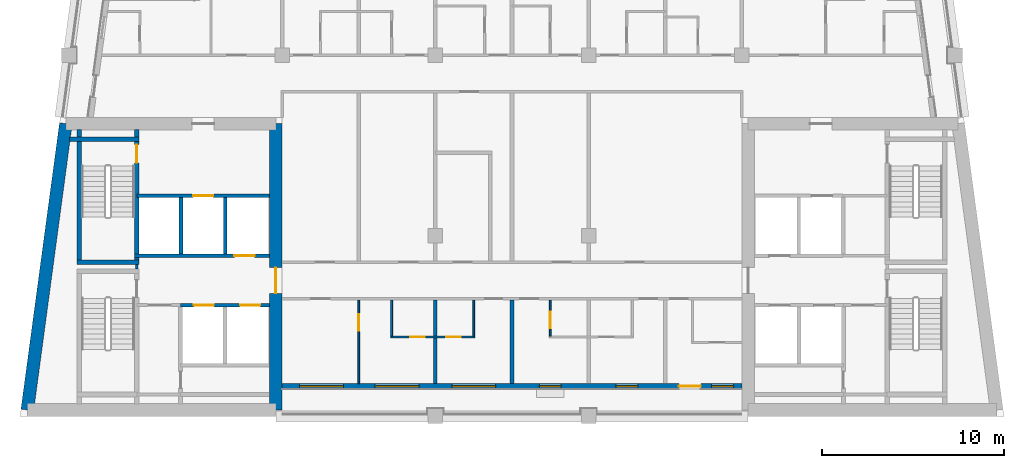
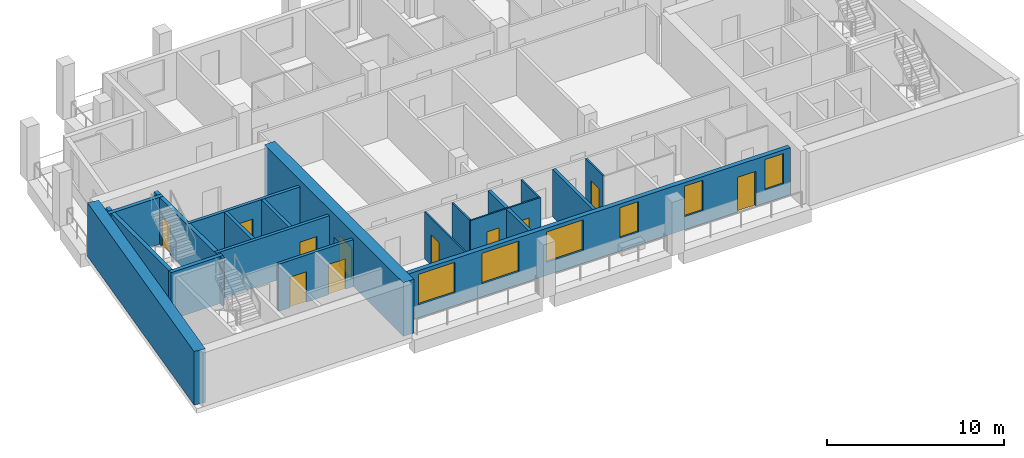
# One storey, part 2 of 10: 20 walls, 11 doors, 6 windows, 17 openings.
"""IFC4 building model written with IfcOpenShell, lengths in metres."""

from ifc_helpers import new_model, si_unit, direction, frame, frame_2d, origin, place, context, subcontext, project, spatial, rectangle, extrude, material, layer, layer_set, type_object, element, fill, save


model = new_model("IFC4")

# Units and contexts
model_context = context("Model", 3, precision=1e-05, world=origin(), true_north=direction((0.0, 1.0)))
body_context = subcontext(model_context, "Body", "Model", "MODEL_VIEW")
ifc_project = project(units=[si_unit("LENGTHUNIT", "METRE"), si_unit("AREAUNIT", "SQUARE_METRE"), si_unit("VOLUMEUNIT", "CUBIC_METRE"), si_unit("PLANEANGLEUNIT", "RADIAN"), si_unit("MASSUNIT", "GRAM", prefix="KILO")], contexts=[model_context])

# Site, building, storey
site_placement = place(None, origin())
site = spatial("IfcSite", under=ifc_project, at=site_placement, CompositionType="ELEMENT")
building_placement = place(site_placement, origin())
building = spatial("IfcBuilding", under=site, at=building_placement, Name="Candeia Pilgrim Tower and Theatre", CompositionType="ELEMENT")
storey_placement = place(building_placement, frame((0.0, 0.0, 299.699951171875)))
storey = spatial("IfcBuildingStorey", under=building, at=storey_placement, Name="L73", CompositionType="ELEMENT", Elevation=299.699951171875)

# Wall, opening, door
ifc_material_1 = material(Name="Concrete C40/50", Category="concrete")
ifc_layer_1 = layer(ifc_material_1, 0.699951171875)
ifc_layer_set_1 = layer_set([ifc_layer_1], Name="Core wall 700 C40/50")
wall_type_1 = type_object("IfcWallType", Name="Core wall 700 C40/50", PredefinedType="SHEAR", material=ifc_layer_set_1)
wall_1_placement = place(storey_placement, frame((100.449951171875, 132.050048828125, 0.0), z_axis=(0.0, 0.0, 1.0), x_axis=(0.0, -1.0, 0.0)))
wall_1 = element("IfcWall", 1, at=wall_1_placement, inside=storey, type_object=wall_type_1, Name="Core wall W2", PredefinedType="SHEAR", context=body_context, shape_type="SweptSolid", body=[
    extrude(rectangle(XDim=15.699951171875, YDim=0.699951171875, at=frame_2d((7.85009765625, 0.0))), origin(), (0.0, 0.0, 1.0), 3.699951171875),
])
opening_1_placement = place(wall_1_placement, frame((7.89990234375, 0.0, 0.0)))
opening_1 = element("IfcOpeningElement", 2, at=opening_1_placement, cuts=wall_1, Name="Opening L73-D045", PredefinedType="OPENING", context=body_context, shape_type="SweptSolid", body=[
    extrude(rectangle(XDim=1.39990234375, YDim=2.10009765625, at=frame_2d((0.699951171875, 1.050048828125))), frame((0.0, 0.35986328125, 0.0), z_axis=(0.0, -1.0, 0.0), x_axis=(1.0, 0.0, 0.0)), (0.0, 0.0, 1.0), 0.719970703125),
])
ifc_material_2 = material(Name="Steel fire door set", Category="steel")
door_type_1 = type_object("IfcDoorType", Name="D-1400-FD60", OperationType="NOTDEFINED", PredefinedType="DOOR", material=ifc_material_2)
door_1_placement = place(opening_1_placement, origin())
door_1 = element("IfcDoor", 3, at=door_1_placement, inside=storey, type_object=door_type_1, Name="Door L73-D045", OperationType="SINGLE_SWING_RIGHT", OverallHeight=2.10009765625, OverallWidth=1.39990234375, PredefinedType="DOOR", context=body_context, shape_type="SweptSolid", body=[
    extrude(rectangle(XDim=1.39990234375, YDim=2.10009765625, at=frame_2d((0.699951171875, 1.050048828125))), frame((0.0, 0.02490234375, 0.0), z_axis=(0.0, -1.0, 0.0), x_axis=(1.0, 0.0, 0.0)), (0.0, 0.0, 1.0), 0.050048828125),
])
fill(opening_1, door_1)

# Wall
wall_2_placement = place(storey_placement, frame((86.8232421875, 116.35009765625, 0.0), z_axis=(0.0, 0.0, 1.0), x_axis=(0.133416378607, 0.99106007382, 0.0)))
element("IfcWall", 4, at=wall_2_placement, inside=storey, type_object=wall_type_1, Name="Core wall W4", PredefinedType="SHEAR", context=body_context, shape_type="SweptSolid", body=[
    extrude(rectangle(XDim=15.841552734375, YDim=0.699951171875, at=frame_2d((7.9208984375, 0.0))), origin(), (0.0, 0.0, 1.0), 3.699951171875),
])

# Wall, openings, door, windows
ifc_material_3 = material(Name="Ceramic block masonry", Category="masonry")
ifc_layer_2 = layer(ifc_material_3, 0.300048828125)
ifc_layer_set_2 = layer_set([ifc_layer_2], Name="EW1 glazing-line wall 300")
wall_type_2 = type_object("IfcWallType", Name="EW1 glazing-line wall 300", PredefinedType="SOLIDWALL", material=ifc_layer_set_2)
wall_3_placement = place(storey_placement, frame((100.800048828125, 117.64990234375, 0.0), z_axis=(0.0, 0.0, 1.0), x_axis=(1.0, 0.0, 0.0)))
wall_3 = element("IfcWall", 5, at=wall_3_placement, inside=storey, type_object=wall_type_2, Name="External wall L73-1.0", PredefinedType="SOLIDWALL", context=body_context, shape_type="SweptSolid", body=[
    extrude(rectangle(XDim=25.199951171875, YDim=0.300048828125, at=frame_2d((12.60009765625, 0.0))), origin(), (0.0, 0.0, 1.0), 3.25),
])
opening_2_placement = place(wall_3_placement, frame((0.949951171875, 0.0, 0.89990234375)))
opening_2 = element("IfcOpeningElement", 6, at=opening_2_placement, cuts=wall_3, Name="Opening W-A", PredefinedType="OPENING", context=body_context, shape_type="SweptSolid", body=[
    extrude(rectangle(XDim=2.39990234375, YDim=2.10009765625, at=frame_2d((1.199951171875, 1.050048828125))), frame((0.0, 0.16015625, 0.0), z_axis=(0.0, -1.0, 0.0), x_axis=(1.0, 0.0, 0.0)), (0.0, 0.0, 1.0), 0.320068359375),
])
opening_3_placement = place(wall_3_placement, frame((5.10009765625, 0.0, 0.89990234375)))
opening_3 = element("IfcOpeningElement", 7, at=opening_3_placement, cuts=wall_3, Name="Opening W-A", PredefinedType="OPENING", context=body_context, shape_type="SweptSolid", body=[
    extrude(rectangle(XDim=2.39990234375, YDim=2.10009765625, at=frame_2d((1.199951171875, 1.050048828125))), frame((0.0, 0.16015625, 0.0), z_axis=(0.0, -1.0, 0.0), x_axis=(1.0, 0.0, 0.0)), (0.0, 0.0, 1.0), 0.320068359375),
])
opening_4_placement = place(wall_3_placement, frame((9.300048828125, 0.0, 0.89990234375)))
opening_4 = element("IfcOpeningElement", 8, at=opening_4_placement, cuts=wall_3, Name="Opening W-A", PredefinedType="OPENING", context=body_context, shape_type="SweptSolid", body=[
    extrude(rectangle(XDim=2.39990234375, YDim=2.10009765625, at=frame_2d((1.199951171875, 1.050048828125))), frame((0.0, 0.16015625, 0.0), z_axis=(0.0, -1.0, 0.0), x_axis=(1.0, 0.0, 0.0)), (0.0, 0.0, 1.0), 0.320068359375),
])
opening_5_placement = place(wall_3_placement, frame((14.10009765625, 0.0, 0.89990234375)))
opening_5 = element("IfcOpeningElement", 9, at=opening_5_placement, cuts=wall_3, Name="Opening W-B", PredefinedType="OPENING", context=body_context, shape_type="SweptSolid", body=[
    extrude(rectangle(XDim=1.199951171875, YDim=2.10009765625, at=frame_2d((0.60009765625, 1.050048828125))), frame((0.0, 0.16015625, 0.0), z_axis=(0.0, -1.0, 0.0), x_axis=(1.0, 0.0, 0.0)), (0.0, 0.0, 1.0), 0.320068359375),
])
opening_6_placement = place(wall_3_placement, frame((18.300048828125, 0.0, 0.89990234375)))
opening_6 = element("IfcOpeningElement", 10, at=opening_6_placement, cuts=wall_3, Name="Opening W-B", PredefinedType="OPENING", context=body_context, shape_type="SweptSolid", body=[
    extrude(rectangle(XDim=1.199951171875, YDim=2.10009765625, at=frame_2d((0.60009765625, 1.050048828125))), frame((0.0, 0.16015625, 0.0), z_axis=(0.0, -1.0, 0.0), x_axis=(1.0, 0.0, 0.0)), (0.0, 0.0, 1.0), 0.320068359375),
])
opening_7_placement = place(wall_3_placement, frame((21.75, 0.0, 0.0)))
opening_7 = element("IfcOpeningElement", 11, at=opening_7_placement, cuts=wall_3, Name="Opening L73-ED676", PredefinedType="OPENING", context=body_context, shape_type="SweptSolid", body=[
    extrude(rectangle(XDim=1.199951171875, YDim=2.39990234375, at=frame_2d((0.60009765625, 1.199951171875))), frame((0.0, 0.16015625, 0.0), z_axis=(0.0, -1.0, 0.0), x_axis=(1.0, 0.0, 0.0)), (0.0, 0.0, 1.0), 0.320068359375),
])
opening_8_placement = place(wall_3_placement, frame((23.550048828125, 0.0, 0.89990234375)))
opening_8 = element("IfcOpeningElement", 12, at=opening_8_placement, cuts=wall_3, Name="Opening W-B", PredefinedType="OPENING", context=body_context, shape_type="SweptSolid", body=[
    extrude(rectangle(XDim=1.199951171875, YDim=2.10009765625, at=frame_2d((0.60009765625, 1.050048828125))), frame((0.0, 0.16015625, 0.0), z_axis=(0.0, -1.0, 0.0), x_axis=(1.0, 0.0, 0.0)), (0.0, 0.0, 1.0), 0.320068359375),
])
ifc_material_4 = material(Name="Aluminium framed glazed door", Category="aluminium")
door_type_2 = type_object("IfcDoorType", Name="Loggia door 1200x2400", OperationType="DOUBLE_DOOR_SINGLE_SWING", PredefinedType="DOOR", material=ifc_material_4)
door_2_placement = place(opening_7_placement, origin())
door_2 = element("IfcDoor", 13, at=door_2_placement, inside=storey, type_object=door_type_2, Name="Loggia door L73-ED676", OperationType="DOUBLE_DOOR_SINGLE_SWING", OverallHeight=2.39990234375, OverallWidth=1.199951171875, PredefinedType="DOOR", context=body_context, shape_type="SweptSolid", body=[
    extrude(rectangle(XDim=1.199951171875, YDim=2.39990234375, at=frame_2d((0.60009765625, 1.199951171875))), frame((0.0, 0.02490234375, 0.0), z_axis=(0.0, -1.0, 0.0), x_axis=(1.0, 0.0, 0.0)), (0.0, 0.0, 1.0), 0.050048828125),
])
fill(opening_7, door_2)
ifc_material_5 = material(Name="Aluminium framed double glazing", Category="aluminium")
window_type_1 = type_object("IfcWindowType", Name="W-A window 2400x2100", PartitioningType="DOUBLE_PANEL_VERTICAL", PredefinedType="WINDOW", material=ifc_material_5)
window_1_placement = place(opening_2_placement, origin())
window_1 = element("IfcWindow", 14, at=window_1_placement, inside=storey, type_object=window_type_1, Name="Window W-A L73", OverallHeight=2.10009765625, OverallWidth=2.39990234375, PartitioningType="SINGLE_PANEL", PredefinedType="WINDOW", context=body_context, shape_type="SweptSolid", body=[
    extrude(rectangle(XDim=2.39990234375, YDim=2.10009765625, at=frame_2d((1.199951171875, 1.050048828125))), frame((0.0, 0.030029296875, 0.0), z_axis=(0.0, -1.0, 0.0), x_axis=(1.0, 0.0, 0.0)), (0.0, 0.0, 1.0), 0.06005859375),
])
fill(opening_2, window_1)
window_2_placement = place(opening_3_placement, origin())
window_2 = element("IfcWindow", 15, at=window_2_placement, inside=storey, type_object=window_type_1, Name="Window W-A L73", OverallHeight=2.10009765625, OverallWidth=2.39990234375, PartitioningType="SINGLE_PANEL", PredefinedType="WINDOW", context=body_context, shape_type="SweptSolid", body=[
    extrude(rectangle(XDim=2.39990234375, YDim=2.10009765625, at=frame_2d((1.199951171875, 1.050048828125))), frame((0.0, 0.030029296875, 0.0), z_axis=(0.0, -1.0, 0.0), x_axis=(1.0, 0.0, 0.0)), (0.0, 0.0, 1.0), 0.06005859375),
])
fill(opening_3, window_2)
window_3_placement = place(opening_4_placement, origin())
window_3 = element("IfcWindow", 16, at=window_3_placement, inside=storey, type_object=window_type_1, Name="Window W-A L73", OverallHeight=2.10009765625, OverallWidth=2.39990234375, PartitioningType="SINGLE_PANEL", PredefinedType="WINDOW", context=body_context, shape_type="SweptSolid", body=[
    extrude(rectangle(XDim=2.39990234375, YDim=2.10009765625, at=frame_2d((1.199951171875, 1.050048828125))), frame((0.0, 0.030029296875, 0.0), z_axis=(0.0, -1.0, 0.0), x_axis=(1.0, 0.0, 0.0)), (0.0, 0.0, 1.0), 0.06005859375),
])
fill(opening_4, window_3)
window_type_2 = type_object("IfcWindowType", Name="W-B window 1200x2100", PartitioningType="SINGLE_PANEL", PredefinedType="WINDOW", material=ifc_material_5)
window_4_placement = place(opening_5_placement, origin())
window_4 = element("IfcWindow", 17, at=window_4_placement, inside=storey, type_object=window_type_2, Name="Window W-B L73", OverallHeight=2.10009765625, OverallWidth=1.199951171875, PartitioningType="SINGLE_PANEL", PredefinedType="WINDOW", context=body_context, shape_type="SweptSolid", body=[
    extrude(rectangle(XDim=1.199951171875, YDim=2.10009765625, at=frame_2d((0.60009765625, 1.050048828125))), frame((0.0, 0.030029296875, 0.0), z_axis=(0.0, -1.0, 0.0), x_axis=(1.0, 0.0, 0.0)), (0.0, 0.0, 1.0), 0.06005859375),
])
fill(opening_5, window_4)
window_5_placement = place(opening_6_placement, origin())
window_5 = element("IfcWindow", 18, at=window_5_placement, inside=storey, type_object=window_type_2, Name="Window W-B L73", OverallHeight=2.10009765625, OverallWidth=1.199951171875, PartitioningType="SINGLE_PANEL", PredefinedType="WINDOW", context=body_context, shape_type="SweptSolid", body=[
    extrude(rectangle(XDim=1.199951171875, YDim=2.10009765625, at=frame_2d((0.60009765625, 1.050048828125))), frame((0.0, 0.030029296875, 0.0), z_axis=(0.0, -1.0, 0.0), x_axis=(1.0, 0.0, 0.0)), (0.0, 0.0, 1.0), 0.06005859375),
])
fill(opening_6, window_5)
window_6_placement = place(opening_8_placement, origin())
window_6 = element("IfcWindow", 19, at=window_6_placement, inside=storey, type_object=window_type_2, Name="Window W-B L73", OverallHeight=2.10009765625, OverallWidth=1.199951171875, PartitioningType="SINGLE_PANEL", PredefinedType="WINDOW", context=body_context, shape_type="SweptSolid", body=[
    extrude(rectangle(XDim=1.199951171875, YDim=2.10009765625, at=frame_2d((0.60009765625, 1.050048828125))), frame((0.0, 0.030029296875, 0.0), z_axis=(0.0, -1.0, 0.0), x_axis=(1.0, 0.0, 0.0)), (0.0, 0.0, 1.0), 0.06005859375),
])
fill(opening_8, window_6)

# Wall, openings, doors
ifc_material_6 = material(Name="Gypsum board partition on steel studs", Category="steel")
ifc_layer_3 = layer(ifc_material_6, 0.10009765625)
ifc_layer_set_3 = layer_set([ifc_layer_3], Name="PW-100 room partition")
wall_type_3 = type_object("IfcWallType", Name="PW-100 room partition", PredefinedType="PARTITIONING", material=ifc_layer_set_3)
wall_4_placement = place(storey_placement, frame((106.75, 120.35009765625, 0.0), z_axis=(0.0, 0.0, 1.0), x_axis=(1.0, 0.0, 0.0)))
wall_4 = element("IfcWall", 20, at=wall_4_placement, inside=storey, type_object=wall_type_3, Name="Room partition L73-010", PredefinedType="PARTITIONING", context=body_context, shape_type="SweptSolid", body=[
    extrude(rectangle(XDim=4.60009765625, YDim=0.10009765625, at=frame_2d((2.300048828125, 0.0))), origin(), (0.0, 0.0, 1.0), 3.25),
])
opening_9_placement = place(wall_4_placement, frame((1.074951171875, 0.0, 0.0)))
opening_9 = element("IfcOpeningElement", 21, at=opening_9_placement, cuts=wall_4, Name="Opening L73-D011", PredefinedType="OPENING", context=body_context, shape_type="SweptSolid", body=[
    extrude(rectangle(XDim=0.800048828125, YDim=2.10009765625, at=frame_2d((0.39990234375, 1.050048828125))), frame((0.0, 0.06005859375, 0.0), z_axis=(0.0, -1.0, 0.0), x_axis=(1.0, 0.0, 0.0)), (0.0, 0.0, 1.0), 0.1201171875),
])
opening_10_placement = place(wall_4_placement, frame((3.0400390625, 0.0, 0.0)))
opening_10 = element("IfcOpeningElement", 22, at=opening_10_placement, cuts=wall_4, Name="Opening L73-D013", PredefinedType="OPENING", context=body_context, shape_type="SweptSolid", body=[
    extrude(rectangle(XDim=0.800048828125, YDim=2.10009765625, at=frame_2d((0.39990234375, 1.050048828125))), frame((0.0, 0.06005859375, 0.0), z_axis=(0.0, -1.0, 0.0), x_axis=(1.0, 0.0, 0.0)), (0.0, 0.0, 1.0), 0.1201171875),
])
ifc_material_7 = material(Name="Timber door leaf", Category="wood")
door_type_3 = type_object("IfcDoorType", Name="D-800", OperationType="NOTDEFINED", PredefinedType="DOOR", material=ifc_material_7)
door_3_placement = place(opening_9_placement, origin())
door_3 = element("IfcDoor", 23, at=door_3_placement, inside=storey, type_object=door_type_3, Name="Door L73-D011", OperationType="SINGLE_SWING_RIGHT", OverallHeight=2.10009765625, OverallWidth=0.800048828125, PredefinedType="DOOR", context=body_context, shape_type="SweptSolid", body=[
    extrude(rectangle(XDim=0.800048828125, YDim=2.10009765625, at=frame_2d((0.39990234375, 1.050048828125))), frame((0.0, 0.02490234375, 0.0), z_axis=(0.0, -1.0, 0.0), x_axis=(1.0, 0.0, 0.0)), (0.0, 0.0, 1.0), 0.050048828125),
])
fill(opening_9, door_3)
door_4_placement = place(opening_10_placement, origin())
door_4 = element("IfcDoor", 24, at=door_4_placement, inside=storey, type_object=door_type_3, Name="Door L73-D013", OperationType="SINGLE_SWING_RIGHT", OverallHeight=2.10009765625, OverallWidth=0.800048828125, PredefinedType="DOOR", context=body_context, shape_type="SweptSolid", body=[
    extrude(rectangle(XDim=0.800048828125, YDim=2.10009765625, at=frame_2d((0.39990234375, 1.050048828125))), frame((0.0, 0.02490234375, 0.0), z_axis=(0.0, -1.0, 0.0), x_axis=(1.0, 0.0, 0.0)), (0.0, 0.0, 1.0), 0.050048828125),
])
fill(opening_10, door_4)

# Wall, opening, door
wall_5_placement = place(storey_placement, frame((105.0, 117.7900390625, 0.0), z_axis=(0.0, 0.0, 1.0), x_axis=(0.0, 1.0, 0.0)))
wall_5 = element("IfcWall", 25, at=wall_5_placement, inside=storey, type_object=wall_type_3, Name="Room partition L73-054", PredefinedType="PARTITIONING", context=body_context, shape_type="SweptSolid", body=[
    extrude(rectangle(XDim=4.5849609375, YDim=0.10009765625, at=frame_2d((2.29248046875, 0.0))), origin(), (0.0, 0.0, 1.0), 3.25),
])
opening_11_placement = place(wall_5_placement, frame((2.907958984375, 0.0, 0.0)))
opening_11 = element("IfcOpeningElement", 26, at=opening_11_placement, cuts=wall_5, Name="Opening L73-D010", PredefinedType="OPENING", context=body_context, shape_type="SweptSolid", body=[
    extrude(rectangle(XDim=0.89990234375, YDim=2.10009765625, at=frame_2d((0.449951171875, 1.050048828125))), frame((0.0, 0.06005859375, 0.0), z_axis=(0.0, -1.0, 0.0), x_axis=(1.0, 0.0, 0.0)), (0.0, 0.0, 1.0), 0.1201171875),
])
door_type_4 = type_object("IfcDoorType", Name="D-900", OperationType="NOTDEFINED", PredefinedType="DOOR", material=ifc_material_7)
door_5_placement = place(opening_11_placement, origin())
door_5 = element("IfcDoor", 27, at=door_5_placement, inside=storey, type_object=door_type_4, Name="Door L73-D010", OperationType="SINGLE_SWING_LEFT", OverallHeight=2.10009765625, OverallWidth=0.89990234375, PredefinedType="DOOR", context=body_context, shape_type="SweptSolid", body=[
    extrude(rectangle(XDim=0.89990234375, YDim=2.10009765625, at=frame_2d((0.449951171875, 1.050048828125))), frame((0.0, 0.02490234375, 0.0), z_axis=(0.0, -1.0, 0.0), x_axis=(1.0, 0.0, 0.0)), (0.0, 0.0, 1.0), 0.050048828125),
])
fill(opening_11, door_5)

# Walls
for number, where, z_axis, x_axis, name in (
    (28, (106.800048828125, 120.39990234375, 0.0), (0.0, 0.0, 1.0), (0.0, 1.0, 0.0), "Room partition L73-057"),
    (29, (111.300048828125, 120.39990234375, 0.0), (0.0, 0.0, 1.0), (0.0, 1.0, 0.0), "Room partition L73-062"),
):
    element("IfcWall", number, at=place(storey_placement, frame(where, z_axis=z_axis, x_axis=x_axis)), inside=storey, type_object=wall_type_3, Name=name, PredefinedType="PARTITIONING", context=body_context, shape_type="SweptSolid", body=[
        extrude(rectangle(XDim=1.97509765625, YDim=0.10009765625, at=frame_2d((0.987548828125, 0.0))), origin(), (0.0, 0.0, 1.0), 3.25),
    ])

# Wall, opening, door
wall_6_placement = place(storey_placement, frame((115.5, 120.39990234375, 0.0), z_axis=(0.0, 0.0, 1.0), x_axis=(0.0, 1.0, 0.0)))
wall_6 = element("IfcWall", 30, at=wall_6_placement, inside=storey, type_object=wall_type_3, Name="Room partition L73-068", PredefinedType="PARTITIONING", context=body_context, shape_type="SweptSolid", body=[
    extrude(rectangle(XDim=1.97509765625, YDim=0.10009765625, at=frame_2d((0.987548828125, 0.0))), origin(), (0.0, 0.0, 1.0), 3.25),
])
opening_12_placement = place(wall_6_placement, frame((0.425048828125, 0.0, 0.0)))
opening_12 = element("IfcOpeningElement", 31, at=opening_12_placement, cuts=wall_6, Name="Opening L73-D015", PredefinedType="OPENING", context=body_context, shape_type="SweptSolid", body=[
    extrude(rectangle(XDim=0.89990234375, YDim=2.10009765625, at=frame_2d((0.449951171875, 1.050048828125))), frame((0.0, 0.06005859375, 0.0), z_axis=(0.0, -1.0, 0.0), x_axis=(1.0, 0.0, 0.0)), (0.0, 0.0, 1.0), 0.1201171875),
])
door_6_placement = place(opening_12_placement, origin())
door_6 = element("IfcDoor", 32, at=door_6_placement, inside=storey, type_object=door_type_4, Name="Door L73-D015", OperationType="SINGLE_SWING_RIGHT", OverallHeight=2.10009765625, OverallWidth=0.89990234375, PredefinedType="DOOR", context=body_context, shape_type="SweptSolid", body=[
    extrude(rectangle(XDim=0.89990234375, YDim=2.10009765625, at=frame_2d((0.449951171875, 1.050048828125))), frame((0.0, 0.02490234375, 0.0), z_axis=(0.0, -1.0, 0.0), x_axis=(1.0, 0.0, 0.0)), (0.0, 0.0, 1.0), 0.050048828125),
])
fill(opening_12, door_6)

# Walls
ifc_layer_4 = layer(ifc_material_6, 0.14990234375)
ifc_layer_set_4 = layer_set([ifc_layer_4], Name="PW-150 lobby wall")
wall_type_4 = type_object("IfcWallType", Name="PW-150 lobby wall", PredefinedType="PARTITIONING", material=ifc_layer_set_4)
wall_7_placement = place(storey_placement, frame((92.826904296875, 124.074951171875, 0.0), z_axis=(0.0, 0.0, 1.0), x_axis=(0.0, 1.0, 0.0)))
element("IfcWall", 33, at=wall_7_placement, inside=storey, type_object=wall_type_4, Name="Lobby wall L73-042", PredefinedType="PARTITIONING", context=body_context, shape_type="SweptSolid", body=[
    extrude(rectangle(XDim=0.25, YDim=0.14990234375, at=frame_2d((0.125, 0.0))), origin(), (0.0, 0.0, 1.0), 3.25),
])
ifc_layer_5 = layer(ifc_material_6, 0.199951171875)
ifc_layer_set_5 = layer_set([ifc_layer_5], Name="PW-200 party wall")
wall_type_5 = type_object("IfcWallType", Name="PW-200 party wall", PredefinedType="PARTITIONING", material=ifc_layer_set_5)
for number, where, z_axis, x_axis, name in (
    (34, (109.199951171875, 117.7900390625, 0.0), (0.0, 0.0, 1.0), (0.0, 1.0, 0.0), "Party wall L73-059"),
    (35, (113.39990234375, 117.7900390625, 0.0), (0.0, 0.0, 1.0), (0.0, 1.0, 0.0), "Party wall L73-065"),
):
    element("IfcWall", number, at=place(storey_placement, frame(where, z_axis=z_axis, x_axis=x_axis)), inside=storey, type_object=wall_type_5, Name=name, PredefinedType="PARTITIONING", context=body_context, shape_type="SweptSolid", body=[
        extrude(rectangle(XDim=4.5849609375, YDim=0.199951171875, at=frame_2d((2.29248046875, 0.0))), origin(), (0.0, 0.0, 1.0), 3.25),
    ])

# Wall, openings, doors
ifc_layer_6 = layer(ifc_material_1, 0.199951171875)
ifc_layer_set_6 = layer_set([ifc_layer_6], Name="SW-200 shaft wall")
wall_type_6 = type_object("IfcWallType", Name="SW-200 shaft wall", PredefinedType="PARTITIONING", material=ifc_layer_set_6)
wall_8_placement = place(storey_placement, frame((95.22705078125, 122.10009765625, 0.0), z_axis=(0.0, 0.0, 1.0), x_axis=(1.0, 0.0, 0.0)))
wall_8 = element("IfcWall", 36, at=wall_8_placement, inside=storey, type_object=wall_type_6, Name="Shaft wall L73-012", PredefinedType="PARTITIONING", context=body_context, shape_type="SweptSolid", body=[
    extrude(rectangle(XDim=4.873046875, YDim=0.199951171875, at=frame_2d((2.4365234375, 0.0))), origin(), (0.0, 0.0, 1.0), 3.25),
])
opening_13_placement = place(wall_8_placement, frame((0.73193359375, 0.0, 0.0)))
opening_13 = element("IfcOpeningElement", 37, at=opening_13_placement, cuts=wall_8, Name="Opening L73-LD01", PredefinedType="OPENING", context=body_context, shape_type="SweptSolid", body=[
    extrude(rectangle(XDim=1.10009765625, YDim=2.10009765625, at=frame_2d((0.550048828125, 1.050048828125))), frame((0.0, 0.10986328125, 0.0), z_axis=(0.0, -1.0, 0.0), x_axis=(1.0, 0.0, 0.0)), (0.0, 0.0, 1.0), 0.219970703125),
])
opening_14_placement = place(wall_8_placement, frame((3.263916015625, 0.0, 0.0)))
opening_14 = element("IfcOpeningElement", 38, at=opening_14_placement, cuts=wall_8, Name="Opening L73-LD02", PredefinedType="OPENING", context=body_context, shape_type="SweptSolid", body=[
    extrude(rectangle(XDim=1.10009765625, YDim=2.10009765625, at=frame_2d((0.550048828125, 1.050048828125))), frame((0.0, 0.10986328125, 0.0), z_axis=(0.0, -1.0, 0.0), x_axis=(1.0, 0.0, 0.0)), (0.0, 0.0, 1.0), 0.219970703125),
])
ifc_material_8 = material(Name="Glazed aluminium landing door", Category="aluminium")
door_type_5 = type_object("IfcDoorType", Name="LD-1100-EI120", OperationType="SLIDING_TO_LEFT", PredefinedType="DOOR", material=ifc_material_8)
door_7_placement = place(opening_13_placement, origin())
door_7 = element("IfcDoor", 39, at=door_7_placement, inside=storey, type_object=door_type_5, Name="Landing door 01 L73", OperationType="SLIDING_TO_LEFT", OverallHeight=2.10009765625, OverallWidth=1.10009765625, PredefinedType="DOOR", context=body_context, shape_type="SweptSolid", body=[
    extrude(rectangle(XDim=1.10009765625, YDim=2.10009765625, at=frame_2d((0.550048828125, 1.050048828125))), frame((0.0, 0.02490234375, 0.0), z_axis=(0.0, -1.0, 0.0), x_axis=(1.0, 0.0, 0.0)), (0.0, 0.0, 1.0), 0.050048828125),
])
fill(opening_13, door_7)
door_8_placement = place(opening_14_placement, origin())
door_8 = element("IfcDoor", 40, at=door_8_placement, inside=storey, type_object=door_type_5, Name="Landing door 02 L73", OperationType="SLIDING_TO_LEFT", OverallHeight=2.10009765625, OverallWidth=1.10009765625, PredefinedType="DOOR", context=body_context, shape_type="SweptSolid", body=[
    extrude(rectangle(XDim=1.10009765625, YDim=2.10009765625, at=frame_2d((0.550048828125, 1.050048828125))), frame((0.0, 0.02490234375, 0.0), z_axis=(0.0, -1.0, 0.0), x_axis=(1.0, 0.0, 0.0)), (0.0, 0.0, 1.0), 0.050048828125),
])
fill(opening_14, door_8)

# Wall, opening, door
wall_9_placement = place(storey_placement, frame((92.701904296875, 124.800048828125, 0.0), z_axis=(0.0, 0.0, 1.0), x_axis=(1.0, 0.0, 0.0)))
wall_9 = element("IfcWall", 41, at=wall_9_placement, inside=storey, type_object=wall_type_6, Name="Shaft wall L73-022", PredefinedType="PARTITIONING", context=body_context, shape_type="SweptSolid", body=[
    extrude(rectangle(XDim=7.398193359375, YDim=0.199951171875, at=frame_2d((3.69921875, 0.0))), origin(), (0.0, 0.0, 1.0), 3.25),
])
opening_15_placement = place(wall_9_placement, frame((5.47998046875, 0.0, 0.0)))
opening_15 = element("IfcOpeningElement", 42, at=opening_15_placement, cuts=wall_9, Name="Opening L73-LD04", PredefinedType="OPENING", context=body_context, shape_type="SweptSolid", body=[
    extrude(rectangle(XDim=1.10009765625, YDim=2.10009765625, at=frame_2d((0.550048828125, 1.050048828125))), frame((0.0, 0.10986328125, 0.0), z_axis=(0.0, -1.0, 0.0), x_axis=(1.0, 0.0, 0.0)), (0.0, 0.0, 1.0), 0.219970703125),
])
door_9_placement = place(opening_15_placement, origin())
door_9 = element("IfcDoor", 43, at=door_9_placement, inside=storey, type_object=door_type_5, Name="Landing door 04 L73", OperationType="SLIDING_TO_LEFT", OverallHeight=2.10009765625, OverallWidth=1.10009765625, PredefinedType="DOOR", context=body_context, shape_type="SweptSolid", body=[
    extrude(rectangle(XDim=1.10009765625, YDim=2.10009765625, at=frame_2d((0.550048828125, 1.050048828125))), frame((0.0, 0.02490234375, 0.0), z_axis=(0.0, -1.0, 0.0), x_axis=(1.0, 0.0, 0.0)), (0.0, 0.0, 1.0), 0.050048828125),
])
fill(opening_15, door_9)

wall_10_placement = place(storey_placement, frame((92.826904296875, 128.10009765625, 0.0), z_axis=(0.0, 0.0, 1.0), x_axis=(1.0, 0.0, 0.0)))
wall_10 = element("IfcWall", 44, at=wall_10_placement, inside=storey, type_object=wall_type_6, Name="Shaft wall L73-025", PredefinedType="PARTITIONING", context=body_context, shape_type="SweptSolid", body=[
    extrude(rectangle(XDim=7.273193359375, YDim=0.199951171875, at=frame_2d((3.63671875, 0.0))), origin(), (0.0, 0.0, 1.0), 3.25),
])
opening_16_placement = place(wall_10_placement, frame((3.0859375, 0.0, 0.0)))
opening_16 = element("IfcOpeningElement", 45, at=opening_16_placement, cuts=wall_10, Name="Opening L73-LD03", PredefinedType="OPENING", context=body_context, shape_type="SweptSolid", body=[
    extrude(rectangle(XDim=1.10009765625, YDim=2.10009765625, at=frame_2d((0.550048828125, 1.050048828125))), frame((0.0, 0.10986328125, 0.0), z_axis=(0.0, -1.0, 0.0), x_axis=(1.0, 0.0, 0.0)), (0.0, 0.0, 1.0), 0.219970703125),
])
door_10_placement = place(opening_16_placement, origin())
door_10 = element("IfcDoor", 46, at=door_10_placement, inside=storey, type_object=door_type_5, Name="Landing door 03 L73", OperationType="SLIDING_TO_LEFT", OverallHeight=2.10009765625, OverallWidth=1.10009765625, PredefinedType="DOOR", context=body_context, shape_type="SweptSolid", body=[
    extrude(rectangle(XDim=1.10009765625, YDim=2.10009765625, at=frame_2d((0.550048828125, 1.050048828125))), frame((0.0, 0.02490234375, 0.0), z_axis=(0.0, -1.0, 0.0), x_axis=(1.0, 0.0, 0.0)), (0.0, 0.0, 1.0), 0.050048828125),
])
fill(opening_16, door_10)

# Walls
for number, where, z_axis, x_axis, name in (
    (47, (95.251220703125, 124.89990234375, 0.0), (0.0, 0.0, 1.0), (0.0, 1.0, 0.0), "Shaft wall L73-047"),
    (48, (97.67578125, 124.89990234375, 0.0), (0.0, 0.0, 1.0), (0.0, 1.0, 0.0), "Shaft wall L73-050"),
):
    element("IfcWall", number, at=place(storey_placement, frame(where, z_axis=z_axis, x_axis=x_axis)), inside=storey, type_object=wall_type_6, Name=name, PredefinedType="PARTITIONING", context=body_context, shape_type="SweptSolid", body=[
        extrude(rectangle(XDim=3.10009765625, YDim=0.199951171875, at=frame_2d((1.550048828125, 0.0))), origin(), (0.0, 0.0, 1.0), 3.25),
    ])
ifc_layer_7 = layer(ifc_material_1, 0.25)
ifc_layer_set_7 = layer_set([ifc_layer_7], Name="SW-250 stair wall")
wall_type_7 = type_object("IfcWallType", Name="SW-250 stair wall", PredefinedType="PARTITIONING", material=ifc_layer_set_7)
wall_11_placement = place(storey_placement, frame((89.552001953125, 124.449951171875, 0.0), z_axis=(0.0, 0.0, 1.0), x_axis=(1.0, 0.0, 0.0)))
element("IfcWall", 49, at=wall_11_placement, inside=storey, type_object=wall_type_7, Name="Stair wall L73-019", PredefinedType="PARTITIONING", context=body_context, shape_type="SweptSolid", body=[
    extrude(rectangle(XDim=3.39990234375, YDim=0.25, at=frame_2d((1.699951171875, 0.0))), origin(), (0.0, 0.0, 1.0), 3.25),
])
wall_12_placement = place(storey_placement, frame((89.1455078125, 131.199951171875, 0.0), z_axis=(0.0, 0.0, 1.0), x_axis=(1.0, 0.0, 0.0)))
element("IfcWall", 50, at=wall_12_placement, inside=storey, type_object=wall_type_7, Name="Stair wall L73-029", PredefinedType="PARTITIONING", context=body_context, shape_type="SweptSolid", body=[
    extrude(rectangle(XDim=3.806396484375, YDim=0.25, at=frame_2d((1.9033203125, 0.0))), origin(), (0.0, 0.0, 1.0), 3.25),
])
wall_13_placement = place(storey_placement, frame((89.677001953125, 124.574951171875, 0.0), z_axis=(0.0, 0.0, 1.0), x_axis=(0.0, 1.0, 0.0)))
element("IfcWall", 51, at=wall_13_placement, inside=storey, type_object=wall_type_7, Name="Stair wall L73-041", PredefinedType="PARTITIONING", context=body_context, shape_type="SweptSolid", body=[
    extrude(rectangle(XDim=7.155029296875, YDim=0.25, at=frame_2d((3.57763671875, 0.0))), origin(), (0.0, 0.0, 1.0), 3.25),
])

# Wall, opening, door
wall_14_placement = place(storey_placement, frame((92.826904296875, 124.574951171875, 0.0), z_axis=(0.0, 0.0, 1.0), x_axis=(0.0, 1.0, 0.0)))
wall_14 = element("IfcWall", 52, at=wall_14_placement, inside=storey, type_object=wall_type_7, Name="Stair wall L73-044", PredefinedType="PARTITIONING", context=body_context, shape_type="SweptSolid", body=[
    extrude(rectangle(XDim=7.155029296875, YDim=0.25, at=frame_2d((3.57763671875, 0.0))), origin(), (0.0, 0.0, 1.0), 3.25),
])
opening_17_placement = place(wall_14_placement, frame((5.324951171875, 0.0, 0.0)))
opening_17 = element("IfcOpeningElement", 53, at=opening_17_placement, cuts=wall_14, Name="Opening L73-D003", PredefinedType="OPENING", context=body_context, shape_type="SweptSolid", body=[
    extrude(rectangle(XDim=1.0, YDim=2.10009765625, at=frame_2d((0.5, 1.050048828125))), frame((0.0, 0.135009765625, 0.0), z_axis=(0.0, -1.0, 0.0), x_axis=(1.0, 0.0, 0.0)), (0.0, 0.0, 1.0), 0.27001953125),
])
door_type_6 = type_object("IfcDoorType", Name="D-1000-FD60", OperationType="NOTDEFINED", PredefinedType="DOOR", material=ifc_material_2)
door_11_placement = place(opening_17_placement, origin())
door_11 = element("IfcDoor", 54, at=door_11_placement, inside=storey, type_object=door_type_6, Name="Door L73-D003", OperationType="SINGLE_SWING_RIGHT", OverallHeight=2.10009765625, OverallWidth=1.0, PredefinedType="DOOR", context=body_context, shape_type="SweptSolid", body=[
    extrude(rectangle(XDim=1.0, YDim=2.10009765625, at=frame_2d((0.5, 1.050048828125))), frame((0.0, 0.02490234375, 0.0), z_axis=(0.0, -1.0, 0.0), x_axis=(1.0, 0.0, 0.0)), (0.0, 0.0, 1.0), 0.050048828125),
])
fill(opening_17, door_11)

save(model, "model.ifc")
